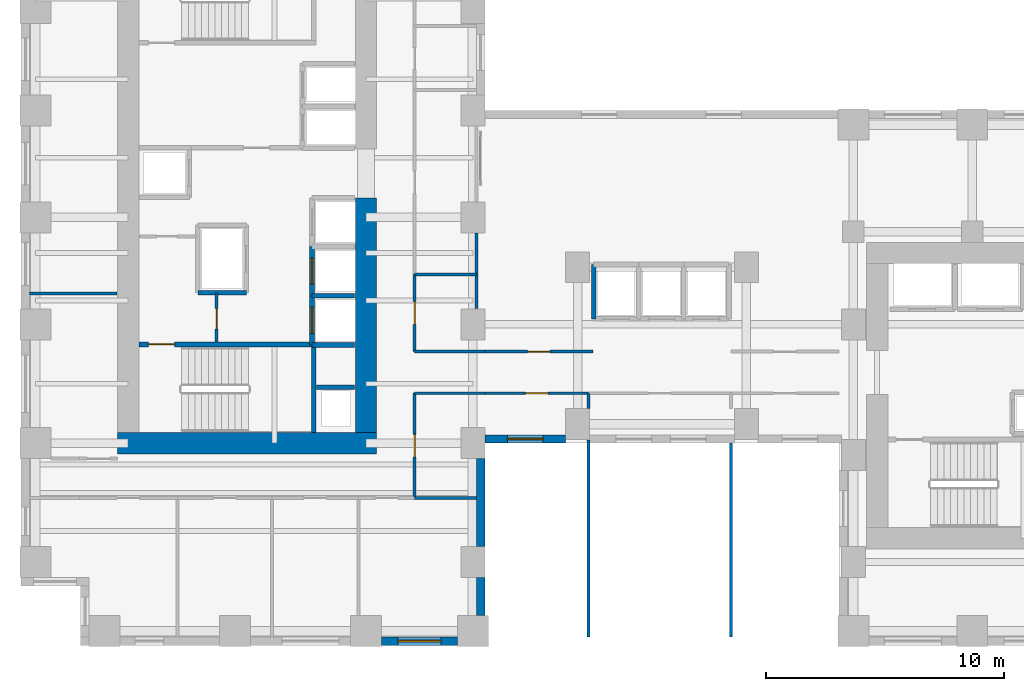
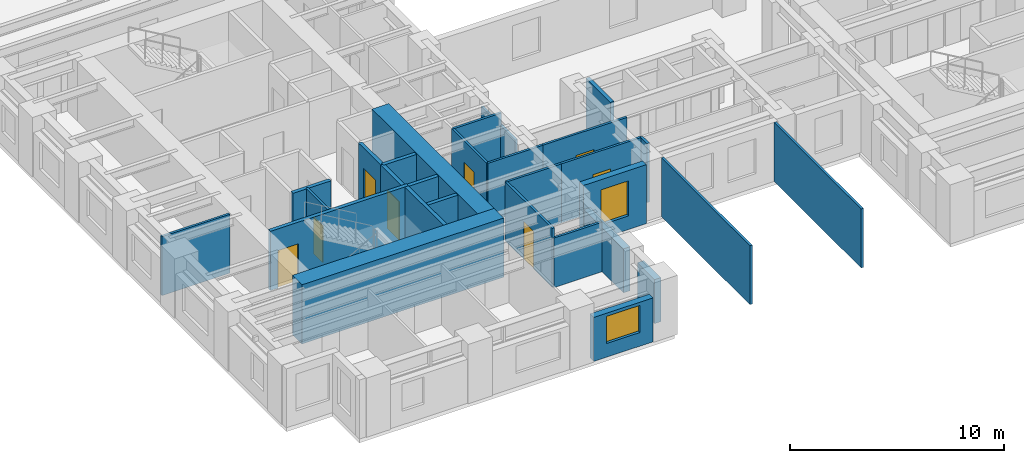
# One storey, part 5 of 12: 29 walls, 8 doors, 2 windows, 10 openings.
"""IFC4 building model written with IfcOpenShell, lengths in metres."""

from ifc_helpers import new_model, si_unit, direction, frame, frame_2d, origin, place, context, subcontext, project, spatial, rectangle, extrude, source, transform, mapped, material, layer, layer_set, type_object, element, fill, save


model = new_model("IFC4")

# Units and contexts
model_context = context("Model", 3, precision=1e-05, world=origin(), true_north=direction((0.0, 1.0)))
body_context = subcontext(model_context, "Body", "Model", "MODEL_VIEW")
ifc_project = project(units=[si_unit("LENGTHUNIT", "METRE"), si_unit("AREAUNIT", "SQUARE_METRE"), si_unit("VOLUMEUNIT", "CUBIC_METRE"), si_unit("PLANEANGLEUNIT", "RADIAN"), si_unit("MASSUNIT", "GRAM", prefix="KILO")], contexts=[model_context])

# Site, building, storey
site_placement = place(None, origin())
site = spatial("IfcSite", under=ifc_project, at=site_placement, CompositionType="ELEMENT")
building_placement = place(site_placement, origin())
building = spatial("IfcBuilding", under=site, at=building_placement, Name="Kharzan Plaza Tower", CompositionType="ELEMENT")
storey_placement = place(building_placement, frame((0.0, 0.0, 51.300048828125)))
storey = spatial("IfcBuildingStorey", under=building, at=storey_placement, Name="L13", CompositionType="ELEMENT", Elevation=51.300048828125)

# Wall, opening, window
ifc_material_1 = material(Name="Concrete C40/50", Category="concrete")
ifc_layer_1 = layer(ifc_material_1, 0.35009765625)
ifc_layer_set_1 = layer_set([ifc_layer_1], Name="Concrete C40/50")
wall_type_1 = type_object("IfcWallType", Name="WL-EXT-MAS-Z1", PredefinedType="SOLIDWALL", material=ifc_layer_set_1)
wall_1_placement = place(storey_placement, frame((15.14794921875, 0.175048828125, 0.0), z_axis=(0.0, 0.0, 1.0), x_axis=(1.0, 0.0, 0.0)))
wall_1 = element("IfcWall", 1, at=wall_1_placement, inside=storey, type_object=wall_type_1, Name="L13 Masonry-Frame Exterior Wall 25", PredefinedType="SOLIDWALL", context=body_context, shape_type="SweptSolid", body=[
    extrude(rectangle(XDim=3.2041015625, YDim=0.35009765625, at=frame_2d((1.60205078125, 0.0))), origin(), (0.0, 0.0, 1.0), 2.510009765625),
])
opening_1_placement = place(wall_1_placement, frame((0.701904296875, 0.0, 0.780029296875)))
opening_1 = element("IfcOpeningElement", 2, at=opening_1_placement, cuts=wall_1, Name="Opening W1", PredefinedType="OPENING", context=body_context, shape_type="SweptSolid", body=[
    extrude(rectangle(XDim=1.800048828125, YDim=1.550048828125, at=frame_2d((0.89990234375, 0.77490234375))), frame((0.0, 0.18505859375, 0.0), z_axis=(0.0, -1.0, 0.0), x_axis=(1.0, 0.0, 0.0)), (0.0, 0.0, 1.0), 0.3701171875),
])
ifc_material_2 = material(Name="Low-E Double Glazing", Category="glass")
window_type_1 = type_object("IfcWindowType", Name="WN-REC-1800x2100", PartitioningType="SINGLE_PANEL", PredefinedType="WINDOW", material=ifc_material_2)
shared_shape_1 = source(origin(), body_context, "Body", "SweptSolid", [
    extrude(rectangle(XDim=1.800048828125, YDim=1.550048828125, at=frame_2d((0.89990234375, 0.77490234375))), frame((0.0, 0.030029296875, 0.0), z_axis=(0.0, -1.0, 0.0), x_axis=(1.0, 0.0, 0.0)), (0.0, 0.0, 1.0), 0.06005859375),
])
window_1_placement = place(opening_1_placement, origin())
window_1 = element("IfcWindow", 3, at=window_1_placement, inside=storey, type_object=window_type_1, Name="L13 Recessed Solar-Control Window 25-1", OverallHeight=1.550048828125, OverallWidth=1.800048828125, PartitioningType="SINGLE_PANEL", PredefinedType="WINDOW", context=body_context, shape_type="MappedRepresentation", body=[
    mapped(shared_shape_1, transform((0.0, 0.0, 0.0), x_axis=(1.0, 0.0, 0.0), y_axis=(0.0, 1.0, 0.0), z_axis=(0.0, 0.0, 1.0))),
])
fill(opening_1, window_1)

wall_2_placement = place(storey_placement, frame((19.498046875, 8.675048828125, 0.0), z_axis=(0.0, 0.0, 1.0), x_axis=(1.0, 0.0, 0.0)))
wall_2 = element("IfcWall", 4, at=wall_2_placement, inside=storey, type_object=wall_type_1, Name="L13 Masonry-Frame Exterior Wall 28", PredefinedType="SOLIDWALL", context=body_context, shape_type="SweptSolid", body=[
    extrude(rectangle(XDim=3.404052734375, YDim=0.35009765625, at=frame_2d((1.7021484375, 0.0))), origin(), (0.0, 0.0, 1.0), 3.364990234375),
])
opening_2_placement = place(wall_2_placement, frame((0.951904296875, 0.0, 0.780029296875)))
opening_2 = element("IfcOpeningElement", 5, at=opening_2_placement, cuts=wall_2, Name="Opening W5", PredefinedType="OPENING", context=body_context, shape_type="SweptSolid", body=[
    extrude(rectangle(XDim=1.5, YDim=2.0, at=frame_2d((0.75, 1.0))), frame((0.0, 0.18505859375, 0.0), z_axis=(0.0, -1.0, 0.0), x_axis=(1.0, 0.0, 0.0)), (0.0, 0.0, 1.0), 0.3701171875),
])
window_type_2 = type_object("IfcWindowType", Name="WN-SLT-1500x2000", PartitioningType="SINGLE_PANEL", PredefinedType="WINDOW", material=ifc_material_2)
shared_shape_2 = source(origin(), body_context, "Body", "SweptSolid", [
    extrude(rectangle(XDim=1.5, YDim=2.0, at=frame_2d((0.75, 1.0))), frame((0.0, 0.030029296875, 0.0), z_axis=(0.0, -1.0, 0.0), x_axis=(1.0, 0.0, 0.0)), (0.0, 0.0, 1.0), 0.06005859375),
])
window_2_placement = place(opening_2_placement, origin())
window_2 = element("IfcWindow", 6, at=window_2_placement, inside=storey, type_object=window_type_2, Name="L13 Recessed Solar-Control Window 28-1", OverallHeight=2.0, OverallWidth=1.5, PartitioningType="SINGLE_PANEL", PredefinedType="WINDOW", context=body_context, shape_type="MappedRepresentation", body=[
    mapped(shared_shape_2, transform((0.0, 0.0, 0.0), x_axis=(1.0, 0.0, 0.0), y_axis=(0.0, 1.0, 0.0), z_axis=(0.0, 0.0, 1.0))),
])
fill(opening_2, window_2)

# Wall, opening, door
ifc_material_3 = material(Name="Fire-Rated Gypsum Board Partition", Category="gypsum")
ifc_layer_2 = layer(ifc_material_3, 0.125)
ifc_layer_set_2 = layer_set([ifc_layer_2], Name="Fire-Rated Gypsum Board Partition")
wall_type_2 = type_object("IfcWallType", Name="WL-INT-PART-125", PredefinedType="PARTITIONING", material=ifc_layer_set_2)
wall_3_placement = place(storey_placement, frame((8.219970703125, 12.75, 0.0), z_axis=(0.0, 0.0, 1.0), x_axis=(0.0, 1.0, 0.0)))
wall_3 = element("IfcWall", 7, at=wall_3_placement, inside=storey, type_object=wall_type_2, Name="L13 Interior Partition CA-K1E", PredefinedType="PARTITIONING", context=body_context, shape_type="SweptSolid", body=[
    extrude(rectangle(XDim=2.070068359375, YDim=0.125, at=frame_2d((1.03515625, 0.0))), origin(), (0.0, 0.0, 1.0), 3.364990234375),
])
opening_3_placement = place(wall_3_placement, frame((0.56005859375, 0.0, 0.0)))
opening_3 = element("IfcOpeningElement", 8, at=opening_3_placement, cuts=wall_3, Name="Opening RD1", PredefinedType="OPENING", context=body_context, shape_type="SweptSolid", body=[
    extrude(rectangle(XDim=0.85009765625, YDim=2.10009765625, at=frame_2d((0.425048828125, 1.050048828125))), frame((0.0, 0.072509765625, 0.0), z_axis=(0.0, -1.0, 0.0), x_axis=(1.0, 0.0, 0.0)), (0.0, 0.0, 1.0), 0.14501953125),
])
ifc_material_4 = material(Name="Powder-Coated Fire-Rated Steel", Category="steel")
door_type_1 = type_object("IfcDoorType", Name="DR-RISER-900", OperationType="NOTDEFINED", PredefinedType="DOOR", material=ifc_material_4)
shared_shape_3 = source(origin(), body_context, "Body", "SweptSolid", [
    extrude(rectangle(XDim=0.85009765625, YDim=2.10009765625, at=frame_2d((0.425048828125, 1.050048828125))), frame((0.0, 0.02490234375, 0.0), z_axis=(0.0, -1.0, 0.0), x_axis=(1.0, 0.0, 0.0)), (0.0, 0.0, 1.0), 0.050048828125),
])
door_1_placement = place(opening_3_placement, origin())
door_1 = element("IfcDoor", 9, at=door_1_placement, inside=storey, type_object=door_type_1, Name="L13 Core Service Store Door", OperationType="SINGLE_SWING_RIGHT", OverallHeight=2.10009765625, OverallWidth=0.85009765625, PredefinedType="DOOR", context=body_context, shape_type="MappedRepresentation", body=[
    mapped(shared_shape_3, transform((0.0, 0.0, 0.0), x_axis=(1.0, 0.0, 0.0), y_axis=(0.0, 1.0, 0.0), z_axis=(0.0, 0.0, 1.0))),
])
fill(opening_3, door_1)

wall_4_placement = place(storey_placement, frame((16.550048828125, 12.35009765625, 0.0), z_axis=(0.0, 0.0, 1.0), x_axis=(0.0, 1.0, 0.0)))
wall_4 = element("IfcWall", 10, at=wall_4_placement, inside=storey, type_object=wall_type_2, Name="L13 Interior Partition SH-AEWN1", PredefinedType="PARTITIONING", context=body_context, shape_type="SweptSolid", body=[
    extrude(rectangle(XDim=3.25, YDim=0.125, at=frame_2d((1.625, 0.0))), origin(), (0.0, 0.0, 1.0), 3.364990234375),
])
opening_4_placement = place(wall_4_placement, frame((1.14990234375, 0.0, 0.0)))
opening_4 = element("IfcOpeningElement", 11, at=opening_4_placement, cuts=wall_4, Name="Opening OD1", PredefinedType="OPENING", context=body_context, shape_type="SweptSolid", body=[
    extrude(rectangle(XDim=0.949951171875, YDim=2.14990234375, at=frame_2d((0.47509765625, 1.074951171875))), frame((0.0, 0.072509765625, 0.0), z_axis=(0.0, -1.0, 0.0), x_axis=(1.0, 0.0, 0.0)), (0.0, 0.0, 1.0), 0.14501953125),
])
ifc_material_5 = material(Name="Acoustic Solid-Core Stained Oak", Category="timber")
door_type_2 = type_object("IfcDoorType", Name="DR-OFF-SINGLE", OperationType="NOTDEFINED", PredefinedType="DOOR", material=ifc_material_5)
shared_shape_4 = source(origin(), body_context, "Body", "SweptSolid", [
    extrude(rectangle(XDim=0.949951171875, YDim=2.14990234375, at=frame_2d((0.47509765625, 1.074951171875))), frame((0.0, 0.02490234375, 0.0), z_axis=(0.0, -1.0, 0.0), x_axis=(1.0, 0.0, 0.0)), (0.0, 0.0, 1.0), 0.050048828125),
])
door_2_placement = place(opening_4_placement, origin())
door_2 = element("IfcDoor", 12, at=door_2_placement, inside=storey, type_object=door_type_2, Name="L13 Slot Collaboration Door", OperationType="SINGLE_SWING_RIGHT", OverallHeight=2.14990234375, OverallWidth=0.949951171875, PredefinedType="DOOR", context=body_context, shape_type="MappedRepresentation", body=[
    mapped(shared_shape_4, transform((0.0, 0.0, 0.0), x_axis=(1.0, 0.0, 0.0), y_axis=(0.0, 1.0, 0.0), z_axis=(0.0, 0.0, 1.0))),
])
fill(opening_4, door_2)

wall_5_placement = place(storey_placement, frame((16.550048828125, 6.199951171875, 0.0), z_axis=(0.0, 0.0, 1.0), x_axis=(0.0, 1.0, 0.0)))
wall_5 = element("IfcWall", 13, at=wall_5_placement, inside=storey, type_object=wall_type_2, Name="L13 Interior Partition SH-AEWS", PredefinedType="PARTITIONING", context=body_context, shape_type="SweptSolid", body=[
    extrude(rectangle(XDim=4.400146484375, YDim=0.125, at=frame_2d((2.2001953125, 0.0))), origin(), (0.0, 0.0, 1.0), 3.364990234375),
])
opening_5_placement = place(wall_5_placement, frame((1.72509765625, 0.0, 0.0)))
opening_5 = element("IfcOpeningElement", 14, at=opening_5_placement, cuts=wall_5, Name="Opening OD1", PredefinedType="OPENING", context=body_context, shape_type="SweptSolid", body=[
    extrude(rectangle(XDim=0.949951171875, YDim=2.14990234375, at=frame_2d((0.47509765625, 1.074951171875))), frame((0.0, 0.072509765625, 0.0), z_axis=(0.0, -1.0, 0.0), x_axis=(1.0, 0.0, 0.0)), (0.0, 0.0, 1.0), 0.14501953125),
])
door_3_placement = place(opening_5_placement, origin())
door_3 = element("IfcDoor", 15, at=door_3_placement, inside=storey, type_object=door_type_2, Name="L13 Slot South Office Door", OperationType="SINGLE_SWING_LEFT", OverallHeight=2.14990234375, OverallWidth=0.949951171875, PredefinedType="DOOR", context=body_context, shape_type="MappedRepresentation", body=[
    mapped(shared_shape_4, transform((0.0, 0.0, 0.0), x_axis=(1.0, 0.0, 0.0), y_axis=(0.0, 1.0, 0.0), z_axis=(0.0, 0.0, 1.0))),
])
fill(opening_5, door_3)

wall_6_placement = place(storey_placement, frame((19.5, 12.35009765625, 0.0), z_axis=(0.0, 0.0, 1.0), x_axis=(1.0, 0.0, 0.0)))
wall_6 = element("IfcWall", 16, at=wall_6_placement, inside=storey, type_object=wall_type_2, Name="L13 Interior Partition SH-SPNW1", PredefinedType="PARTITIONING", context=body_context, shape_type="SweptSolid", body=[
    extrude(rectangle(XDim=4.550048828125, YDim=0.125, at=frame_2d((2.27490234375, 0.0))), origin(), (0.0, 0.0, 1.0), 3.364990234375),
])
opening_6_placement = place(wall_6_placement, frame((1.800048828125, 0.0, 0.0)))
opening_6 = element("IfcOpeningElement", 17, at=opening_6_placement, cuts=wall_6, Name="Opening OD1", PredefinedType="OPENING", context=body_context, shape_type="SweptSolid", body=[
    extrude(rectangle(XDim=0.949951171875, YDim=2.14990234375, at=frame_2d((0.47509765625, 1.074951171875))), frame((0.0, 0.072509765625, 0.0), z_axis=(0.0, -1.0, 0.0), x_axis=(1.0, 0.0, 0.0)), (0.0, 0.0, 1.0), 0.14501953125),
])
door_4_placement = place(opening_6_placement, origin())
door_4 = element("IfcDoor", 18, at=door_4_placement, inside=storey, type_object=door_type_2, Name="L13 North-West Spine Door", OperationType="SINGLE_SWING_LEFT", OverallHeight=2.14990234375, OverallWidth=0.949951171875, PredefinedType="DOOR", context=body_context, shape_type="MappedRepresentation", body=[
    mapped(shared_shape_4, transform((0.0, 0.0, 0.0), x_axis=(1.0, 0.0, 0.0), y_axis=(0.0, 1.0, 0.0), z_axis=(0.0, 0.0, 1.0))),
])
fill(opening_6, door_4)

wall_7_placement = place(storey_placement, frame((19.5, 10.60009765625, 0.0), z_axis=(0.0, 0.0, 1.0), x_axis=(1.0, 0.0, 0.0)))
wall_7 = element("IfcWall", 19, at=wall_7_placement, inside=storey, type_object=wall_type_2, Name="L13 Interior Partition SH-SPS1", PredefinedType="PARTITIONING", context=body_context, shape_type="SweptSolid", body=[
    extrude(rectangle(XDim=4.35009765625, YDim=0.125, at=frame_2d((2.175048828125, 0.0))), origin(), (0.0, 0.0, 1.0), 3.364990234375),
])
opening_7_placement = place(wall_7_placement, frame((1.699951171875, 0.0, 0.0)))
opening_7 = element("IfcOpeningElement", 20, at=opening_7_placement, cuts=wall_7, Name="Opening OD1", PredefinedType="OPENING", context=body_context, shape_type="SweptSolid", body=[
    extrude(rectangle(XDim=0.949951171875, YDim=2.14990234375, at=frame_2d((0.47509765625, 1.074951171875))), frame((0.0, 0.072509765625, 0.0), z_axis=(0.0, -1.0, 0.0), x_axis=(1.0, 0.0, 0.0)), (0.0, 0.0, 1.0), 0.14501953125),
])
door_5_placement = place(opening_7_placement, origin())
door_5 = element("IfcDoor", 21, at=door_5_placement, inside=storey, type_object=door_type_2, Name="L13 Spine Studio 1 Door", OperationType="SINGLE_SWING_RIGHT", OverallHeight=2.14990234375, OverallWidth=0.949951171875, PredefinedType="DOOR", context=body_context, shape_type="MappedRepresentation", body=[
    mapped(shared_shape_4, transform((0.0, 0.0, 0.0), x_axis=(1.0, 0.0, 0.0), y_axis=(0.0, 1.0, 0.0), z_axis=(0.0, 0.0, 1.0))),
])
fill(opening_7, door_5)

ifc_layer_3 = layer(ifc_material_1, 0.199951171875)
ifc_layer_set_3 = layer_set([ifc_layer_3], Name="Concrete C40/50")
wall_type_3 = type_object("IfcWallType", Name="WL-INT-SHAFT-200", PredefinedType="PARTITIONING", material=ifc_layer_set_3)
wall_8_placement = place(storey_placement, frame((12.22998046875, 12.6298828125, 0.0), z_axis=(0.0, 0.0, 1.0), x_axis=(0.0, 1.0, 0.0)))
wall_8 = element("IfcWall", 22, at=wall_8_placement, inside=storey, type_object=wall_type_3, Name="L13 Interior Partition SHF-PL-H1-W", PredefinedType="PARTITIONING", context=body_context, shape_type="SweptSolid", body=[
    extrude(rectangle(XDim=2.070068359375, YDim=0.199951171875, at=frame_2d((1.03515625, 0.0))), origin(), (0.0, 0.0, 1.0), 3.364990234375),
])
opening_8_placement = place(wall_8_placement, frame((0.485107421875, 0.0, 0.0)))
opening_8 = element("IfcOpeningElement", 23, at=opening_8_placement, cuts=wall_8, Name="Opening LD", PredefinedType="OPENING", context=body_context, shape_type="SweptSolid", body=[
    extrude(rectangle(XDim=1.10009765625, YDim=2.199951171875, at=frame_2d((0.550048828125, 1.10009765625))), frame((0.0, 0.10986328125, 0.0), z_axis=(0.0, -1.0, 0.0), x_axis=(1.0, 0.0, 0.0)), (0.0, 0.0, 1.0), 0.219970703125),
])
ifc_material_6 = material(Name="Brushed Stainless Steel", Category="steel")
door_type_3 = type_object("IfcDoorType", Name="DR-LIFT-SLIDE", OperationType="SLIDING_TO_LEFT", PredefinedType="DOOR", material=ifc_material_6)
shared_shape_5 = source(origin(), body_context, "Body", "SweptSolid", [
    extrude(rectangle(XDim=1.10009765625, YDim=2.199951171875, at=frame_2d((0.550048828125, 1.10009765625))), frame((0.0, 0.02490234375, 0.0), z_axis=(0.0, -1.0, 0.0), x_axis=(1.0, 0.0, 0.0)), (0.0, 0.0, 1.0), 0.050048828125),
])
door_6_placement = place(opening_8_placement, origin())
door_6 = element("IfcDoor", 24, at=door_6_placement, inside=storey, type_object=door_type_3, Name="L13 High-Rise Passenger Lift PL-H1 Sliding Landing Door", OperationType="SLIDING_TO_LEFT", OverallHeight=2.199951171875, OverallWidth=1.10009765625, PredefinedType="DOOR", context=body_context, shape_type="MappedRepresentation", body=[
    mapped(shared_shape_5, transform((0.0, 0.0, 0.0), x_axis=(1.0, 0.0, 0.0), y_axis=(0.0, 1.0, 0.0), z_axis=(0.0, 0.0, 1.0))),
])
fill(opening_8, door_6)

wall_9_placement = place(storey_placement, frame((12.22998046875, 14.699951171875, 0.0), z_axis=(0.0, 0.0, 1.0), x_axis=(0.0, 1.0, 0.0)))
wall_9 = element("IfcWall", 25, at=wall_9_placement, inside=storey, type_object=wall_type_3, Name="L13 Interior Partition SHF-PL-H2-W", PredefinedType="PARTITIONING", context=body_context, shape_type="SweptSolid", body=[
    extrude(rectangle(XDim=2.070068359375, YDim=0.199951171875, at=frame_2d((1.03515625, 0.0))), origin(), (0.0, 0.0, 1.0), 3.364990234375),
])
opening_9_placement = place(wall_9_placement, frame((0.485107421875, 0.0, 0.0)))
opening_9 = element("IfcOpeningElement", 26, at=opening_9_placement, cuts=wall_9, Name="Opening LD", PredefinedType="OPENING", context=body_context, shape_type="SweptSolid", body=[
    extrude(rectangle(XDim=1.10009765625, YDim=2.199951171875, at=frame_2d((0.550048828125, 1.10009765625))), frame((0.0, 0.10986328125, 0.0), z_axis=(0.0, -1.0, 0.0), x_axis=(1.0, 0.0, 0.0)), (0.0, 0.0, 1.0), 0.219970703125),
])
door_7_placement = place(opening_9_placement, origin())
door_7 = element("IfcDoor", 27, at=door_7_placement, inside=storey, type_object=door_type_3, Name="L13 High-Rise Passenger Lift PL-H2 Sliding Landing Door", OperationType="SLIDING_TO_LEFT", OverallHeight=2.199951171875, OverallWidth=1.10009765625, PredefinedType="DOOR", context=body_context, shape_type="MappedRepresentation", body=[
    mapped(shared_shape_5, transform((0.0, 0.0, 0.0), x_axis=(1.0, 0.0, 0.0), y_axis=(0.0, 1.0, 0.0), z_axis=(0.0, 0.0, 1.0))),
])
fill(opening_9, door_7)

ifc_material_7 = material(Name="Concrete C50/60", Category="concrete")
ifc_layer_4 = layer(ifc_material_7, 0.199951171875)
ifc_layer_set_4 = layer_set([ifc_layer_4], Name="Concrete C50/60")
wall_type_4 = type_object("IfcWallType", Name="WL-SHAFT-RC200", PredefinedType="SHEAR", material=ifc_layer_set_4)
wall_10_placement = place(storey_placement, frame((4.951904296875, 12.655029296875, 0.0), z_axis=(0.0, 0.0, 1.0), x_axis=(1.0, 0.0, 0.0)))
wall_10 = element("IfcWall", 28, at=wall_10_placement, inside=storey, type_object=wall_type_4, Name="L13 Stair ST-1 North RC Shaft Wall", PredefinedType="SHEAR", context=body_context, shape_type="SweptSolid", body=[
    extrude(rectangle(XDim=7.453125, YDim=0.199951171875, at=frame_2d((3.7265625, 0.0))), origin(), (0.0, 0.0, 1.0), 3.3798828125),
])
opening_10_placement = place(wall_10_placement, frame((0.39990234375, 0.0, 0.0)))
opening_10 = element("IfcOpeningElement", 29, at=opening_10_placement, cuts=wall_10, Name="Opening SD1", PredefinedType="OPENING", context=body_context, shape_type="SweptSolid", body=[
    extrude(rectangle(XDim=1.10009765625, YDim=2.14990234375, at=frame_2d((0.550048828125, 1.074951171875))), frame((0.0, 0.10986328125, 0.0), z_axis=(0.0, -1.0, 0.0), x_axis=(1.0, 0.0, 0.0)), (0.0, 0.0, 1.0), 0.219970703125),
])
ifc_material_8 = material(Name="Fire-Rated Hollow Galvanized Steel", Category="steel")
door_type_4 = type_object("IfcDoorType", Name="DR-STAIR-FD120", OperationType="NOTDEFINED", PredefinedType="DOOR", material=ifc_material_8)
shared_shape_6 = source(origin(), body_context, "Body", "SweptSolid", [
    extrude(rectangle(XDim=1.10009765625, YDim=2.14990234375, at=frame_2d((0.550048828125, 1.074951171875))), frame((0.0, 0.02490234375, 0.0), z_axis=(0.0, -1.0, 0.0), x_axis=(1.0, 0.0, 0.0)), (0.0, 0.0, 1.0), 0.050048828125),
])
door_8_placement = place(opening_10_placement, origin())
door_8 = element("IfcDoor", 30, at=door_8_placement, inside=storey, type_object=door_type_4, Name="L13 Stair ST-1 Fire Exit Door", OperationType="SINGLE_SWING_RIGHT", OverallHeight=2.14990234375, OverallWidth=1.10009765625, PredefinedType="DOOR", context=body_context, shape_type="MappedRepresentation", body=[
    mapped(shared_shape_6, transform((0.0, 0.0, 0.0), x_axis=(1.0, 0.0, 0.0), y_axis=(0.0, 1.0, 0.0), z_axis=(0.0, 0.0, 1.0))),
])
fill(opening_10, door_8)

# Walls
ifc_material_9 = material(Name="Concrete C60/75", Category="concrete")
ifc_layer_5 = layer(ifc_material_9, 0.89990234375)
ifc_layer_set_5 = layer_set([ifc_layer_5], Name="Concrete C60/75")
wall_type_5 = type_object("IfcWallType", Name="WL-CORE-900", PredefinedType="SHEAR", material=ifc_layer_set_5)
shared_shape_7 = source(origin(), body_context, "Body", "SweptSolid", [
    extrude(rectangle(XDim=9.8701171875, YDim=0.89990234375, at=frame_2d((4.93505859375, 0.0))), origin(), (0.0, 0.0, 1.0), 3.3798828125),
])
wall_11_placement = place(storey_placement, frame((14.5, 8.949951171875, 0.0), z_axis=(0.0, 0.0, 1.0), x_axis=(0.0, 1.0, 0.0)))
element("IfcWall", 31, at=wall_11_placement, inside=storey, type_object=wall_type_5, Name="L13 CORE-A east shear pier 1", PredefinedType="SHEAR", context=body_context, shape_type="MappedRepresentation", body=[
    mapped(shared_shape_7, transform((0.0, 0.0, 0.0), x_axis=(1.0, 0.0, 0.0), y_axis=(0.0, 1.0, 0.0), z_axis=(0.0, 0.0, 1.0))),
])
shared_shape_8 = source(origin(), body_context, "Body", "SweptSolid", [
    extrude(rectangle(XDim=10.89990234375, YDim=0.89990234375, at=frame_2d((5.449951171875, 0.0))), origin(), (0.0, 0.0, 1.0), 3.3798828125),
])
wall_12_placement = place(storey_placement, frame((4.050048828125, 8.5, 0.0), z_axis=(0.0, 0.0, 1.0), x_axis=(1.0, 0.0, 0.0)))
element("IfcWall", 32, at=wall_12_placement, inside=storey, type_object=wall_type_5, Name="L13 CORE-A south RC shear wall", PredefinedType="SHEAR", context=body_context, shape_type="MappedRepresentation", body=[
    mapped(shared_shape_8, transform((0.0, 0.0, 0.0), x_axis=(1.0, 0.0, 0.0), y_axis=(0.0, 1.0, 0.0), z_axis=(0.0, 0.0, 1.0))),
])
shared_shape_9 = source(origin(), body_context, "Body", "SweptSolid", [
    extrude(rectangle(XDim=1.60400390625, YDim=0.35009765625, at=frame_2d((0.802001953125, 0.0))), origin(), (0.0, 0.0, 1.0), 2.510009765625),
])
wall_13_placement = place(storey_placement, frame((19.324951171875, 1.248046875, 0.0), z_axis=(0.0, 0.0, 1.0), x_axis=(0.0, 1.0, 0.0)))
element("IfcWall", 33, at=wall_13_placement, inside=storey, type_object=wall_type_1, Name="L13 Masonry-Frame Exterior Wall 26", PredefinedType="SOLIDWALL", context=body_context, shape_type="MappedRepresentation", body=[
    mapped(shared_shape_9, transform((0.0, 0.0, 0.0), x_axis=(1.0, 0.0, 0.0), y_axis=(0.0, 1.0, 0.0), z_axis=(0.0, 0.0, 1.0))),
])
shared_shape_10 = source(origin(), body_context, "Body", "SweptSolid", [
    extrude(rectangle(XDim=3.7041015625, YDim=0.35009765625, at=frame_2d((1.85205078125, 0.0))), origin(), (0.0, 0.0, 1.0), 2.510009765625),
])
wall_14_placement = place(storey_placement, frame((19.324951171875, 4.14794921875, 0.0), z_axis=(0.0, 0.0, 1.0), x_axis=(0.0, 1.0, 0.0)))
element("IfcWall", 34, at=wall_14_placement, inside=storey, type_object=wall_type_1, Name="L13 Masonry-Frame Exterior Wall 27", PredefinedType="SOLIDWALL", context=body_context, shape_type="MappedRepresentation", body=[
    mapped(shared_shape_10, transform((0.0, 0.0, 0.0), x_axis=(1.0, 0.0, 0.0), y_axis=(0.0, 1.0, 0.0), z_axis=(0.0, 0.0, 1.0))),
])
shared_shape_11 = source(origin(), body_context, "Body", "SweptSolid", [
    extrude(rectangle(XDim=3.18017578125, YDim=0.125, at=frame_2d((1.590087890625, 0.0))), origin(), (0.0, 0.0, 1.0), 2.669921875),
])
wall_15_placement = place(storey_placement, frame((19.14990234375, 14.159912109375, 0.0), z_axis=(0.0, 0.0, 1.0), x_axis=(0.0, 1.0, 0.0)))
element("IfcWall", 35, at=wall_15_placement, inside=storey, type_object=wall_type_2, Name="L13 Interior Partition SH-AEN-DIV-S1", PredefinedType="PARTITIONING", context=body_context, shape_type="MappedRepresentation", body=[
    mapped(shared_shape_11, transform((0.0, 0.0, 0.0), x_axis=(1.0, 0.0, 0.0), y_axis=(0.0, 1.0, 0.0), z_axis=(0.0, 0.0, 1.0))),
])
shared_shape_12 = source(origin(), body_context, "Body", "SweptSolid", [
    extrude(rectangle(XDim=2.949951171875, YDim=0.125, at=frame_2d((1.47509765625, 0.0))), origin(), (0.0, 0.0, 1.0), 3.364990234375),
])
for number, where, z_axis, x_axis, name in (
    (36, (16.550048828125, 12.35009765625, 0.0), (0.0, 0.0, 1.0), (1.0, 0.0, 0.0), "L13 Interior Partition SH-SPNW0"),
    (37, (16.550048828125, 10.60009765625, 0.0), (0.0, 0.0, 1.0), (1.0, 0.0, 0.0), "L13 Interior Partition SH-SPS0"),
):
    element("IfcWall", number, at=place(storey_placement, frame(where, z_axis=z_axis, x_axis=x_axis)), inside=storey, type_object=wall_type_2, Name=name, PredefinedType="PARTITIONING", context=body_context, shape_type="MappedRepresentation", body=[
        mapped(shared_shape_12, transform((0.0, 0.0, 0.0), x_axis=(1.0, 0.0, 0.0), y_axis=(0.0, 1.0, 0.0), z_axis=(0.0, 0.0, 1.0))),
    ])
shared_shape_13 = source(origin(), body_context, "Body", "SweptSolid", [
    extrude(rectangle(XDim=2.597900390625, YDim=0.125, at=frame_2d((1.298828125, 0.0))), origin(), (0.0, 0.0, 1.0), 2.827880859375),
])
wall_16_placement = place(storey_placement, frame((16.550048828125, 6.199951171875, 0.0), z_axis=(0.0, 0.0, 1.0), x_axis=(1.0, 0.0, 0.0)))
element("IfcWall", 38, at=wall_16_placement, inside=storey, type_object=wall_type_2, Name="L13 Interior Partition SH-SSE-4", PredefinedType="PARTITIONING", context=body_context, shape_type="MappedRepresentation", body=[
    mapped(shared_shape_13, transform((0.0, 0.0, 0.0), x_axis=(1.0, 0.0, 0.0), y_axis=(0.0, 1.0, 0.0), z_axis=(0.0, 0.0, 1.0))),
])
shared_shape_14 = source(origin(), body_context, "Body", "SweptSolid", [
    extrude(rectangle(XDim=1.60009765625, YDim=0.199951171875, at=frame_2d((0.800048828125, 0.0))), origin(), (0.0, 0.0, 1.0), 3.364990234375),
])
wall_17_placement = place(storey_placement, frame((12.419921875, 10.85009765625, 0.0), z_axis=(0.0, 0.0, 1.0), x_axis=(1.0, 0.0, 0.0)))
element("IfcWall", 39, at=wall_17_placement, inside=storey, type_object=wall_type_3, Name="L13 Interior Partition CA-RSRA-N", PredefinedType="PARTITIONING", context=body_context, shape_type="MappedRepresentation", body=[
    mapped(shared_shape_14, transform((0.0, 0.0, 0.0), x_axis=(1.0, 0.0, 0.0), y_axis=(0.0, 1.0, 0.0), z_axis=(0.0, 0.0, 1.0))),
])
shared_shape_15 = source(origin(), body_context, "Body", "SweptSolid", [
    extrude(rectangle(XDim=1.7900390625, YDim=0.199951171875, at=frame_2d((0.89501953125, 0.0))), origin(), (0.0, 0.0, 1.0), 3.364990234375),
])
for number, where, z_axis, x_axis, name in (
    (40, (12.22998046875, 14.699951171875, 0.0), (0.0, 0.0, 1.0), (1.0, 0.0, 0.0), "L13 Interior Partition SHF-PL-H1-N"),
    (41, (12.22998046875, 12.6298828125, 0.0), (0.0, 0.0, 1.0), (1.0, 0.0, 0.0), "L13 Interior Partition SHF-PL-H1-S"),
):
    element("IfcWall", number, at=place(storey_placement, frame(where, z_axis=z_axis, x_axis=x_axis)), inside=storey, type_object=wall_type_3, Name=name, PredefinedType="PARTITIONING", context=body_context, shape_type="MappedRepresentation", body=[
        mapped(shared_shape_15, transform((0.0, 0.0, 0.0), x_axis=(1.0, 0.0, 0.0), y_axis=(0.0, 1.0, 0.0), z_axis=(0.0, 0.0, 1.0))),
    ])
shared_shape_16 = source(origin(), body_context, "Body", "SweptSolid", [
    extrude(rectangle(XDim=2.2900390625, YDim=0.199951171875, at=frame_2d((1.14501953125, 0.0))), origin(), (0.0, 0.0, 1.0), 3.364990234375),
])
wall_18_placement = place(storey_placement, frame((24.080078125, 13.72998046875, 0.0), z_axis=(0.0, 0.0, 1.0), x_axis=(0.0, 1.0, 0.0)))
element("IfcWall", 42, at=wall_18_placement, inside=storey, type_object=wall_type_3, Name="L13 Interior Partition SHF-PL-M1-W", PredefinedType="PARTITIONING", context=body_context, shape_type="MappedRepresentation", body=[
    mapped(shared_shape_16, transform((0.0, 0.0, 0.0), x_axis=(1.0, 0.0, 0.0), y_axis=(0.0, 1.0, 0.0), z_axis=(0.0, 0.0, 1.0))),
])
shared_shape_17 = source(origin(), body_context, "Body", "SweptSolid", [
    extrude(rectangle(XDim=2.0400390625, YDim=0.199951171875, at=frame_2d((1.02001953125, 0.0))), origin(), (0.0, 0.0, 1.0), 3.364990234375),
])
wall_19_placement = place(storey_placement, frame((7.429931640625, 14.830078125, 0.0), z_axis=(0.0, 0.0, 1.0), x_axis=(1.0, 0.0, 0.0)))
element("IfcWall", 43, at=wall_19_placement, inside=storey, type_object=wall_type_3, Name="L13 Interior Partition SHF-SVL-1-S", PredefinedType="PARTITIONING", context=body_context, shape_type="MappedRepresentation", body=[
    mapped(shared_shape_17, transform((0.0, 0.0, 0.0), x_axis=(1.0, 0.0, 0.0), y_axis=(0.0, 1.0, 0.0), z_axis=(0.0, 0.0, 1.0))),
])
shared_shape_18 = source(origin(), body_context, "Body", "SweptSolid", [
    extrude(rectangle(XDim=3.60302734375, YDim=0.199951171875, at=frame_2d((1.801513671875, 0.0))), origin(), (0.0, 0.0, 1.0), 3.3798828125),
])
wall_20_placement = place(storey_placement, frame((12.304931640625, 8.951904296875, 0.0), z_axis=(0.0, 0.0, 1.0), x_axis=(0.0, 1.0, 0.0)))
element("IfcWall", 44, at=wall_20_placement, inside=storey, type_object=wall_type_4, Name="L13 Stair ST-1 East RC Shaft Wall", PredefinedType="SHEAR", context=body_context, shape_type="MappedRepresentation", body=[
    mapped(shared_shape_18, transform((0.0, 0.0, 0.0), x_axis=(1.0, 0.0, 0.0), y_axis=(0.0, 1.0, 0.0), z_axis=(0.0, 0.0, 1.0))),
])
shared_shape_19 = source(origin(), body_context, "Body", "SweptSolid", [
    extrude(rectangle(XDim=8.14794921875, YDim=0.125, at=frame_2d((4.073974609375, 0.0))), origin(), (0.0, 0.0, 1.0), 3.364990234375),
])
wall_21_placement = place(storey_placement, frame((29.85009765625, 0.35009765625, 0.0), z_axis=(0.0, 0.0, 1.0), x_axis=(0.0, 1.0, 0.0)))
element("IfcWall", 45, at=wall_21_placement, inside=storey, type_object=wall_type_2, Name="L13 Interior Partition SH-SPSV2-S1", PredefinedType="PARTITIONING", context=body_context, shape_type="MappedRepresentation", body=[
    mapped(shared_shape_19, transform((0.0, 0.0, 0.0), x_axis=(1.0, 0.0, 0.0), y_axis=(0.0, 1.0, 0.0), z_axis=(0.0, 0.0, 1.0))),
])
shared_shape_20 = source(origin(), body_context, "Body", "SweptSolid", [
    extrude(rectangle(XDim=2.599853515625, YDim=0.125, at=frame_2d((1.2998046875, 0.0))), origin(), (0.0, 0.0, 1.0), 3.364990234375),
])
wall_22_placement = place(storey_placement, frame((16.550048828125, 15.60009765625, 0.0), z_axis=(0.0, 0.0, 1.0), x_axis=(1.0, 0.0, 0.0)))
element("IfcWall", 46, at=wall_22_placement, inside=storey, type_object=wall_type_2, Name="L13 Interior Partition SH-AEH-156", PredefinedType="PARTITIONING", context=body_context, shape_type="MappedRepresentation", body=[
    mapped(shared_shape_20, transform((0.0, 0.0, 0.0), x_axis=(1.0, 0.0, 0.0), y_axis=(0.0, 1.0, 0.0), z_axis=(0.0, 0.0, 1.0))),
])
shared_shape_21 = source(origin(), body_context, "Body", "SweptSolid", [
    extrude(rectangle(XDim=8.289794921875, YDim=0.125, at=frame_2d((4.14501953125, 0.0))), origin(), (0.0, 0.0, 1.0), 3.364990234375),
])
wall_23_placement = place(storey_placement, frame((23.85009765625, 0.35009765625, 0.0), z_axis=(0.0, 0.0, 1.0), x_axis=(0.0, 1.0, 0.0)))
element("IfcWall", 47, at=wall_23_placement, inside=storey, type_object=wall_type_2, Name="L13 Interior Partition SH-SPSV1-S1", PredefinedType="PARTITIONING", context=body_context, shape_type="MappedRepresentation", body=[
    mapped(shared_shape_21, transform((0.0, 0.0, 0.0), x_axis=(1.0, 0.0, 0.0), y_axis=(0.0, 1.0, 0.0), z_axis=(0.0, 0.0, 1.0))),
])
shared_shape_22 = source(origin(), body_context, "Body", "SweptSolid", [
    extrude(rectangle(XDim=0.64013671875, YDim=0.125, at=frame_2d((0.320068359375, 0.0))), origin(), (0.0, 0.0, 1.0), 3.364990234375),
])
wall_24_placement = place(storey_placement, frame((23.85009765625, 9.9599609375, 0.0), z_axis=(0.0, 0.0, 1.0), x_axis=(0.0, 1.0, 0.0)))
element("IfcWall", 48, at=wall_24_placement, inside=storey, type_object=wall_type_2, Name="L13 Interior Partition SH-SPSV1-S2", PredefinedType="PARTITIONING", context=body_context, shape_type="MappedRepresentation", body=[
    mapped(shared_shape_22, transform((0.0, 0.0, 0.0), x_axis=(1.0, 0.0, 0.0), y_axis=(0.0, 1.0, 0.0), z_axis=(0.0, 0.0, 1.0))),
])
shared_shape_23 = source(origin(), body_context, "Body", "SweptSolid", [
    extrude(rectangle(XDim=3.66796875, YDim=0.125, at=frame_2d((1.833984375, 0.0))), origin(), (0.0, 0.0, 1.0), 3.364990234375),
])
wall_25_placement = place(storey_placement, frame((0.35205078125, 14.800048828125, 0.0), z_axis=(0.0, 0.0, 1.0), x_axis=(1.0, 0.0, 0.0)))
element("IfcWall", 49, at=wall_25_placement, inside=storey, type_object=wall_type_2, Name="L13 Interior Partition SH-WMID", PredefinedType="PARTITIONING", context=body_context, shape_type="MappedRepresentation", body=[
    mapped(shared_shape_23, transform((0.0, 0.0, 0.0), x_axis=(1.0, 0.0, 0.0), y_axis=(0.0, 1.0, 0.0), z_axis=(0.0, 0.0, 1.0))),
])

save(model, "model.ifc")
